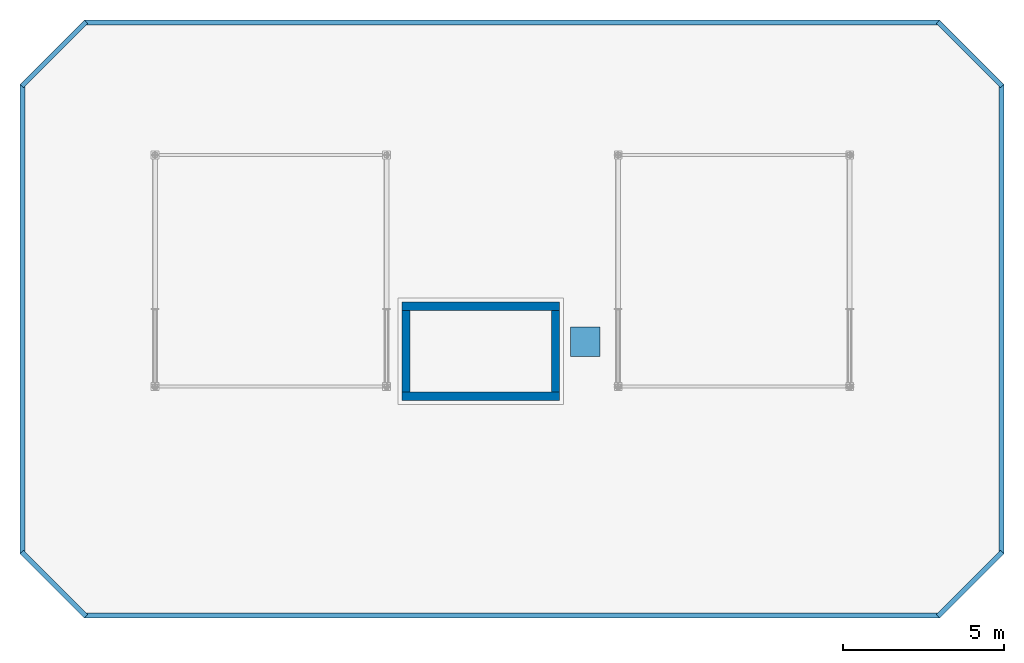
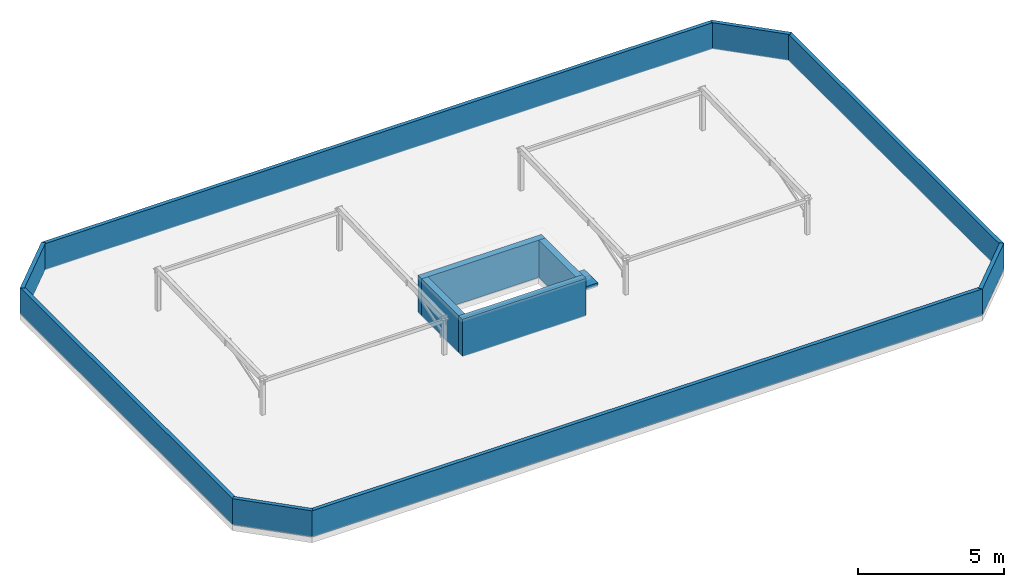
# One storey, part 6 of 7: 12 walls, 1 discrete accessory.
"""IFC4 building model written with IfcOpenShell, lengths in metres."""

from ifc_helpers import new_model, si_unit, direction, frame, frame_2d, origin, origin_2d, place, context, subcontext, project, spatial, rectangle, extrude, material, layer, layer_set, type_object, element, save


model = new_model("IFC4")

# Units and contexts
model_context = context("Model", 3, precision=1e-05, world=origin(), true_north=direction((0.0, 1.0)))
body_context = subcontext(model_context, "Body", "Model", "MODEL_VIEW")
ifc_project = project(units=[si_unit("LENGTHUNIT", "METRE"), si_unit("AREAUNIT", "SQUARE_METRE"), si_unit("VOLUMEUNIT", "CUBIC_METRE"), si_unit("PLANEANGLEUNIT", "RADIAN"), si_unit("MASSUNIT", "GRAM", prefix="KILO")], contexts=[model_context])

# Site, building, storey
site_placement = place(None, origin())
site = spatial("IfcSite", under=ifc_project, at=site_placement, CompositionType="ELEMENT")
building_placement = place(site_placement, origin())
building = spatial("IfcBuilding", under=site, at=building_placement, Name="Ochrevale Crest", CompositionType="ELEMENT")
storey_placement = place(building_placement, frame((0.0, 0.0, 52.800048828125)))
storey = spatial("IfcBuildingStorey", under=building, at=storey_placement, Name="RF", CompositionType="ELEMENT", Elevation=52.800048828125)

# Walls
ifc_material_1 = material(Name="Precast concrete C50/60", Category="concrete")
ifc_layer_1 = layer(ifc_material_1, 0.2548828125)
ifc_layer_set_1 = layer_set([ifc_layer_1], Name="Precast concrete C50/60")
wall_type_1 = type_object("IfcWallType", Name="WL-CORE-EXT-255", PredefinedType="SHEAR", material=ifc_layer_set_1)
for number, where, z_axis, x_axis, name in (
    (1, (144.472412109375, 78.89990234375, 0.0), (0.0, 0.0, 1.0), (1.0, 0.0, 0.0), "Block D lift overrun enclosure wall S"),
    (2, (144.472412109375, 81.699951171875, 0.0), (0.0, 0.0, 1.0), (1.0, 0.0, 0.0), "Block D lift overrun enclosure wall N"),
):
    element("IfcWall", number, at=place(storey_placement, frame(where, z_axis=z_axis, x_axis=x_axis)), inside=storey, type_object=wall_type_1, Name=name, PredefinedType="SHEAR", context=body_context, shape_type="SweptSolid", body=[
        extrude(rectangle(XDim=4.905029296875, YDim=0.2548828125, at=frame_2d((2.45263671875, 0.0))), origin(), (0.0, 0.0, 1.0), 1.570068359375),
    ])
for number, where, z_axis, x_axis, name in (
    (3, (144.60009765625, 79.027587890625, 0.0), (0.0, 0.0, 1.0), (0.0, 1.0, 0.0), "Block D lift overrun enclosure wall W"),
    (4, (149.25, 79.027587890625, 0.0), (0.0, 0.0, 1.0), (0.0, 1.0, 0.0), "Block D lift overrun enclosure wall E"),
):
    element("IfcWall", number, at=place(storey_placement, frame(where, z_axis=z_axis, x_axis=x_axis)), inside=storey, type_object=wall_type_1, Name=name, PredefinedType="SHEAR", context=body_context, shape_type="SweptSolid", body=[
        extrude(rectangle(XDim=2.544921875, YDim=0.2548828125, at=frame_2d((1.2724609375, 0.0))), origin(), (0.0, 0.0, 1.0), 1.570068359375),
    ])
ifc_material_2 = material(Name="Precast concrete C40/50", Category="concrete")
ifc_layer_2 = layer(ifc_material_2, 0.14990234375)
ifc_layer_set_2 = layer_set([ifc_layer_2], Name="Precast concrete C40/50")
wall_type_2 = type_object("IfcWallType", Name="WL-PARAPET-150", PredefinedType="PARAPET", material=ifc_layer_set_2)
wall_1_placement = place(storey_placement, frame((134.60009765625, 72.080078125, 0.0), z_axis=(0.0, 0.0, 1.0), x_axis=(1.0, 0.0, 0.0)))
element("IfcWall", 5, at=wall_1_placement, inside=storey, type_object=wall_type_2, Name="Block D rooftop perimeter parapet wall 1", PredefinedType="PARAPET", context=body_context, shape_type="SweptSolid", body=[
    extrude(rectangle(XDim=26.599853515625, YDim=0.14990234375, at=frame_2d((13.2998046875, 0.0))), origin(), (0.0, 0.0, 1.0), 1.099853515625),
])
wall_2_placement = place(storey_placement, frame((161.143310546875, 72.056640625, 0.0), z_axis=(0.0, 0.0, 1.0), x_axis=(0.707106781187, 0.707106781187, 0.0)))
element("IfcWall", 6, at=wall_2_placement, inside=storey, type_object=wall_type_2, Name="Block D rooftop perimeter parapet wall 2", PredefinedType="PARAPET", context=body_context, shape_type="SweptSolid", body=[
    extrude(rectangle(XDim=2.828369140625, YDim=0.14990234375, at=frame_2d((1.4140625, 0.0))), origin(), (0.0, 0.0, 1.0), 1.099853515625),
])
wall_3_placement = place(storey_placement, frame((163.1201171875, 74.0, 0.0), z_axis=(0.0, 0.0, 1.0), x_axis=(0.0, 1.0, 0.0)))
element("IfcWall", 7, at=wall_3_placement, inside=storey, type_object=wall_type_2, Name="Block D rooftop perimeter parapet wall 3", PredefinedType="PARAPET", context=body_context, shape_type="SweptSolid", body=[
    extrude(rectangle(XDim=14.60009765625, YDim=0.14990234375, at=frame_2d((7.300048828125, 0.0))), origin(), (0.0, 0.0, 1.0), 1.099853515625),
])
wall_4_placement = place(storey_placement, frame((163.143310546875, 88.54345703125, 0.0), z_axis=(0.0, 0.0, 1.0), x_axis=(-0.707106781187, 0.707106781187, 0.0)))
element("IfcWall", 8, at=wall_4_placement, inside=storey, type_object=wall_type_2, Name="Block D rooftop perimeter parapet wall 4", PredefinedType="PARAPET", context=body_context, shape_type="SweptSolid", body=[
    extrude(rectangle(XDim=2.828369140625, YDim=0.14990234375, at=frame_2d((1.4140625, 0.0))), origin(), (0.0, 0.0, 1.0), 1.099853515625),
])
wall_5_placement = place(storey_placement, frame((161.199951171875, 90.52001953125, 0.0), z_axis=(0.0, 0.0, 1.0), x_axis=(-1.0, 0.0, 0.0)))
element("IfcWall", 9, at=wall_5_placement, inside=storey, type_object=wall_type_2, Name="Block D rooftop perimeter parapet wall 5", PredefinedType="PARAPET", context=body_context, shape_type="SweptSolid", body=[
    extrude(rectangle(XDim=26.599853515625, YDim=0.14990234375, at=frame_2d((13.2998046875, 0.0))), origin(), (0.0, 0.0, 1.0), 1.099853515625),
])
wall_6_placement = place(storey_placement, frame((134.656494140625, 90.54345703125, 0.0), z_axis=(0.0, 0.0, 1.0), x_axis=(-0.707106781187, -0.707106781187, 0.0)))
element("IfcWall", 10, at=wall_6_placement, inside=storey, type_object=wall_type_2, Name="Block D rooftop perimeter parapet wall 6", PredefinedType="PARAPET", context=body_context, shape_type="SweptSolid", body=[
    extrude(rectangle(XDim=2.828369140625, YDim=0.14990234375, at=frame_2d((1.4140625, 0.0))), origin(), (0.0, 0.0, 1.0), 1.099853515625),
])
wall_7_placement = place(storey_placement, frame((132.679931640625, 88.60009765625, 0.0), z_axis=(0.0, 0.0, 1.0), x_axis=(0.0, -1.0, 0.0)))
element("IfcWall", 11, at=wall_7_placement, inside=storey, type_object=wall_type_2, Name="Block D rooftop perimeter parapet wall 7", PredefinedType="PARAPET", context=body_context, shape_type="SweptSolid", body=[
    extrude(rectangle(XDim=14.60009765625, YDim=0.14990234375, at=frame_2d((7.300048828125, 0.0))), origin(), (0.0, 0.0, 1.0), 1.099853515625),
])
wall_8_placement = place(storey_placement, frame((132.656494140625, 74.056640625, 0.0), z_axis=(0.0, 0.0, 1.0), x_axis=(0.707106781187, -0.707106781187, 0.0)))
element("IfcWall", 12, at=wall_8_placement, inside=storey, type_object=wall_type_2, Name="Block D rooftop perimeter parapet wall 8", PredefinedType="PARAPET", context=body_context, shape_type="SweptSolid", body=[
    extrude(rectangle(XDim=2.828369140625, YDim=0.14990234375, at=frame_2d((1.4140625, 0.0))), origin(), (0.0, 0.0, 1.0), 1.099853515625),
])

# Discrete accessory
ifc_material_3 = material(Name="Galvanised steel", Category="steel")
discrete_accessory_type = type_object("IfcDiscreteAccessoryType", Name="ACC-ROOF-HATCH", PredefinedType="USERDEFINED", material=ifc_material_3)
discrete_accessory_placement = place(storey_placement, frame((150.175048828125, 80.60009765625, -0.0400390625), z_axis=(0.0, 0.0, 1.0), x_axis=(1.0, 0.0, 0.0)))
element("IfcDiscreteAccessory", 13, at=discrete_accessory_placement, inside=storey, type_object=discrete_accessory_type, Name="Block D RF roof maintenance access hatch", ObjectType="ROOF_HATCH", PredefinedType="USERDEFINED", context=body_context, shape_type="SweptSolid", body=[
    extrude(rectangle(XDim=0.919921875, YDim=0.919921875, at=origin_2d()), origin(), (0.0, 0.0, 1.0), 0.159912109375),
])

save(model, "model.ifc")
